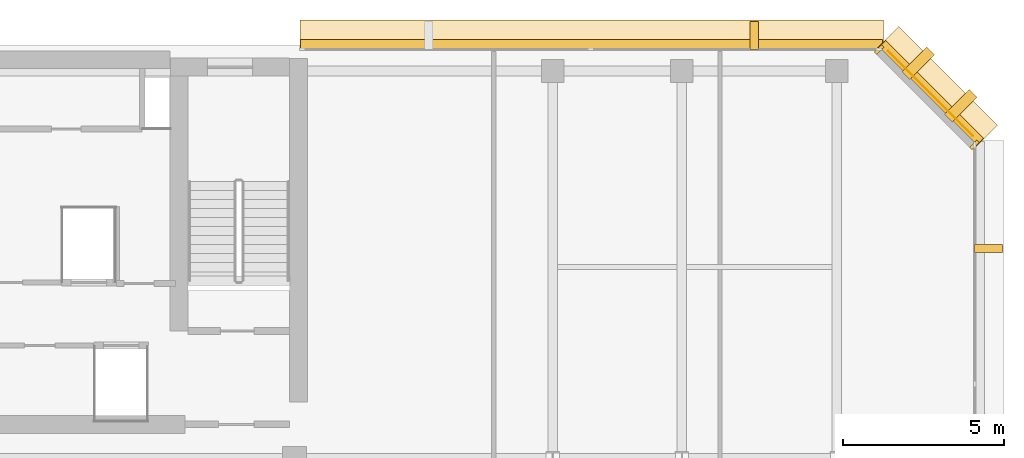
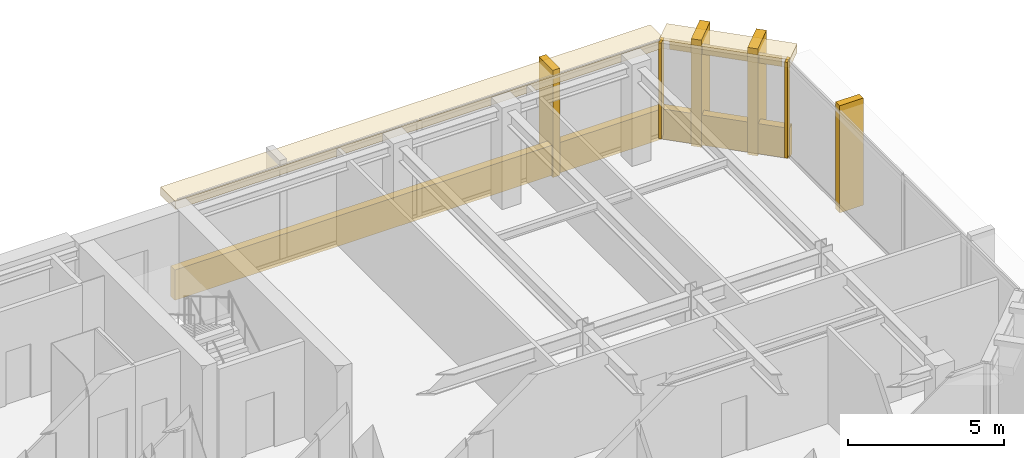
# One storey, part 11 of 11: 11 coverings.
"""IFC4 building model written with IfcOpenShell, lengths in metres."""

from ifc_helpers import new_model, si_unit, direction, frame, origin, origin_2d, place, context, subcontext, project, spatial, rectangle, extrude, material, layer, layer_set, type_object, element, save


model = new_model("IFC4")

# Units and contexts
model_context = context("Model", 3, precision=1e-05, world=origin(), true_north=direction((0.0, 1.0)))
body_context = subcontext(model_context, "Body", "Model", "MODEL_VIEW")
ifc_project = project(units=[si_unit("LENGTHUNIT", "METRE"), si_unit("AREAUNIT", "SQUARE_METRE"), si_unit("VOLUMEUNIT", "CUBIC_METRE"), si_unit("PLANEANGLEUNIT", "RADIAN"), si_unit("MASSUNIT", "GRAM", prefix="KILO")], contexts=[model_context])

# Site, building, storey
site_placement = place(None, origin())
site = spatial("IfcSite", under=ifc_project, at=site_placement, CompositionType="ELEMENT")
building_placement = place(site_placement, origin())
building = spatial("IfcBuilding", under=site, at=building_placement, Name="Kefirva Bronze Tower", CompositionType="ELEMENT")
storey_placement = place(building_placement, frame((0.0, 0.0, 292.050048828125)))
storey = spatial("IfcBuildingStorey", under=building, at=storey_placement, Name="L71", CompositionType="ELEMENT", Elevation=292.050048828125)

# Coverings
ifc_material = material(Name="Bronze anodised aluminium", Category="aluminium")
ifc_layer_1 = layer(ifc_material, 0.02001953125, Name="Bronze anodised aluminium")
ifc_layer_set_1 = layer_set([ifc_layer_1], Name="Bronze anodised aluminium")
covering_type_1 = type_object("IfcCoveringType", Name="Anodised Bronze Spandrel Cladding 20mm", PredefinedType="CLADDING", material=ifc_layer_set_1)
covering_1_placement = place(storey_placement, frame((42.906982421875, 44.507080078125, 3.320068359375), z_axis=(0.0, 0.0, 1.0), x_axis=(-0.707106781187, 0.707106781187, 0.0)))
element("IfcCovering", 1, at=covering_1_placement, inside=storey, type_object=covering_type_1, Name="L71 Bronze Spandrel Cladding 5", PredefinedType="CLADDING", context=body_context, shape_type="SweptSolid", body=[
    extrude(rectangle(XDim=3.719482421875, YDim=0.02001953125, at=origin_2d()), origin(), (0.0, 0.0, 1.0), 0.39990234375),
])
for number, where, z_axis, x_axis, name in (
    (2, (44.26220703125, 42.91162109375, 0.0), (0.0, 0.0, 1.0), (-0.707106781187, 0.707106781187, 0.0), "L71 Facade Joint Closure Panel 5S"),
    (3, (41.311767578125, 45.862060546875, 0.0), (0.0, 0.0, 1.0), (-0.707106781187, 0.707106781187, 0.0), "L71 Facade Joint Closure Panel 5E"),
):
    element("IfcCovering", number, at=place(storey_placement, frame(where, z_axis=z_axis, x_axis=x_axis)), inside=storey, type_object=covering_type_1, Name=name, PredefinedType="CLADDING", context=body_context, shape_type="SweptSolid", body=[
        extrude(rectangle(XDim=0.10009765625, YDim=0.320068359375, at=origin_2d()), origin(), (0.0, 0.0, 1.0), 3.739990234375),
    ])
covering_2_placement = place(storey_placement, frame((42.92822265625, 44.5283203125, -0.16015625), z_axis=(0.0, 0.0, 1.0), x_axis=(-0.707106781187, 0.707106781187, 0.0)))
element("IfcCovering", 4, at=covering_2_placement, inside=storey, type_object=covering_type_1, Name="L71 Streamline Horizontal Spandrel Band 7", PredefinedType="CLADDING", context=body_context, shape_type="SweptSolid", body=[
    extrude(rectangle(XDim=4.28271484375, YDim=0.280029296875, at=origin_2d()), origin(), (0.0, 0.0, 1.0), 1.179931640625),
])
covering_3_placement = place(storey_placement, frame((32.402587890625, 46.0400390625, -0.16015625), z_axis=(0.0, 0.0, 1.0), x_axis=(-1.0, 0.0, 0.0)))
element("IfcCovering", 5, at=covering_3_placement, inside=storey, type_object=covering_type_1, Name="L71 Streamline Horizontal Spandrel Band 8", PredefinedType="CLADDING", context=body_context, shape_type="SweptSolid", body=[
    extrude(rectangle(XDim=18.034912109375, YDim=0.280029296875, at=origin_2d()), origin(), (0.0, 0.0, 1.0), 1.179931640625),
])
ifc_layer_2 = layer(ifc_material, 0.179931640625, Name="Bronze anodised aluminium")
ifc_layer_set_2 = layer_set([ifc_layer_2], Name="Bronze anodised aluminium")
covering_type_2 = type_object("IfcCoveringType", Name="Streamline Bronze Sunshade Eyebrow Cladding 180mm", PredefinedType="CLADDING", material=ifc_layer_set_2)
covering_4_placement = place(storey_placement, frame((43.119140625, 44.71923828125, 3.419921875), z_axis=(0.0, 0.0, 1.0), x_axis=(-0.707106781187, 0.707106781187, 0.0)))
element("IfcCovering", 6, at=covering_4_placement, inside=storey, type_object=covering_type_2, Name="L71 Streamline Bronze Sunshade Eyebrow 7", PredefinedType="CLADDING", context=body_context, shape_type="SweptSolid", body=[
    extrude(rectangle(XDim=4.322509765625, YDim=0.93994140625, at=origin_2d()), origin(), (0.0, 0.0, 1.0), 0.320068359375),
])
covering_5_placement = place(storey_placement, frame((32.402587890625, 46.31005859375, 3.419921875), z_axis=(0.0, 0.0, 1.0), x_axis=(-1.0, 0.0, 0.0)))
element("IfcCovering", 7, at=covering_5_placement, inside=storey, type_object=covering_type_2, Name="L71 Streamline Bronze Sunshade Eyebrow 8", PredefinedType="CLADDING", context=body_context, shape_type="SweptSolid", body=[
    extrude(rectangle(XDim=18.074951171875, YDim=0.93994140625, at=origin_2d()), origin(), (0.0, 0.0, 1.0), 0.320068359375),
])
ifc_layer_3 = layer(ifc_material, 0.260009765625, Name="Bronze anodised aluminium")
ifc_layer_set_3 = layer_set([ifc_layer_3], Name="Bronze anodised aluminium")
covering_type_3 = type_object("IfcCoveringType", Name="Unbroken Bronze Buttress Fin Cladding 260mm", PredefinedType="CLADDING", material=ifc_layer_set_3)
covering_6_placement = place(storey_placement, frame((44.699951171875, 39.699951171875, -0.22021484375), z_axis=(0.0, 0.0, 1.0), x_axis=(0.0, 1.0, 0.0)))
element("IfcCovering", 8, at=covering_6_placement, inside=storey, type_object=covering_type_3, Name="L71 Unbroken Vertical Bronze Rib Fin 14", PredefinedType="CLADDING", context=body_context, shape_type="SweptSolid", body=[
    extrude(rectangle(XDim=0.260009765625, YDim=0.8798828125, at=origin_2d()), origin(), (0.0, 0.0, 1.0), 4.179931640625),
])
for number, where, z_axis, x_axis, name in (
    (9, (43.8427734375, 44.122802734375, -0.22021484375), (0.0, 0.0, 1.0), (-0.707106781187, 0.707106781187, 0.0), "L71 Chamfered Corner Buttress Fin Cladding 15"),
    (10, (42.522705078125, 45.44287109375, -0.22021484375), (0.0, 0.0, 1.0), (-0.707106781187, 0.707106781187, 0.0), "L71 Chamfered Corner Buttress Fin Cladding 16"),
):
    element("IfcCovering", number, at=place(storey_placement, frame(where, z_axis=z_axis, x_axis=x_axis)), inside=storey, type_object=covering_type_3, Name=name, PredefinedType="CLADDING", context=body_context, shape_type="SweptSolid", body=[
        extrude(rectangle(XDim=0.340087890625, YDim=1.080078125, at=origin_2d()), origin(), (0.0, 0.0, 1.0), 4.179931640625),
    ])
covering_7_placement = place(storey_placement, frame((37.441162109375, 46.300048828125, -0.22021484375), z_axis=(0.0, 0.0, 1.0), x_axis=(-1.0, 0.0, 0.0)))
element("IfcCovering", 11, at=covering_7_placement, inside=storey, type_object=covering_type_3, Name="L71 Unbroken Vertical Bronze Rib Fin 17", PredefinedType="CLADDING", context=body_context, shape_type="SweptSolid", body=[
    extrude(rectangle(XDim=0.260009765625, YDim=0.8798828125, at=origin_2d()), origin(), (0.0, 0.0, 1.0), 4.179931640625),
])

save(model, "model.ifc")
